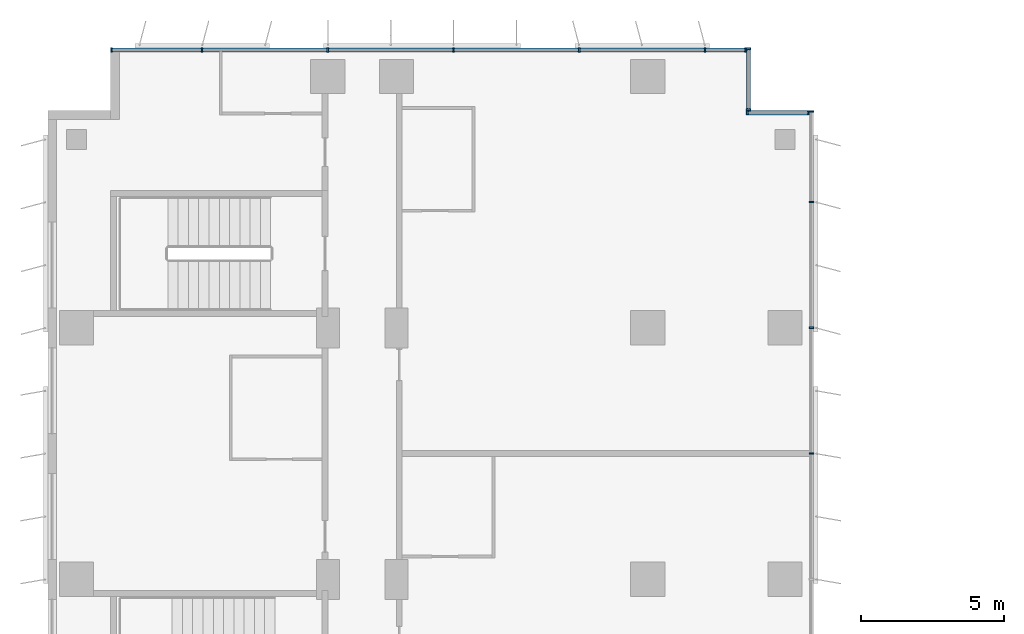
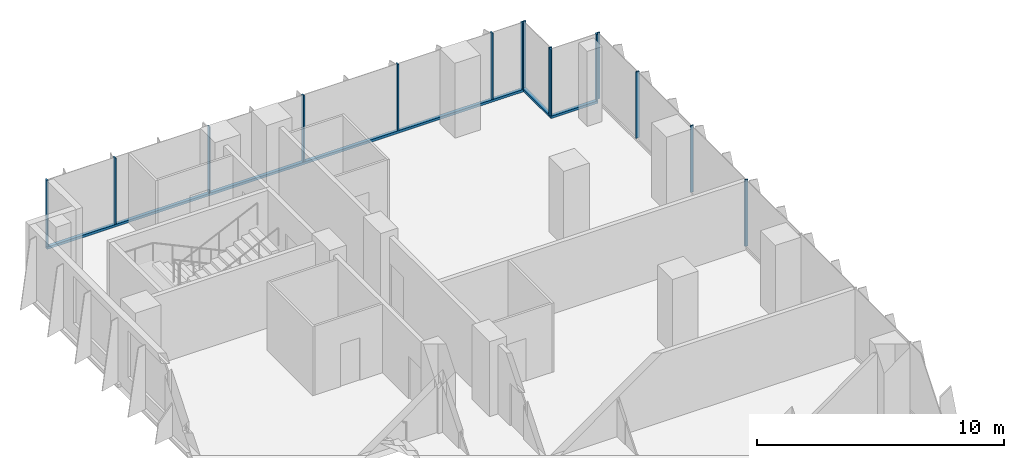
# One storey, part 9 of 22: 18 members, 4 elements without a shape of their own.
"""IFC4 building model written with IfcOpenShell, lengths in metres."""

from ifc_helpers import new_model, si_unit, direction, frame, origin, origin_2d, place, context, subcontext, project, spatial, rectangle, extrude, source, transform, mapped, material, material_profile, profile_set, type_object, element, aggregate, save


model = new_model("IFC4")

# Units and contexts
model_context = context("Model", 3, precision=1e-05, world=origin(), true_north=direction((0.0, 1.0)))
body_context = subcontext(model_context, "Body", "Model", "MODEL_VIEW")
ifc_project = project(units=[si_unit("LENGTHUNIT", "METRE"), si_unit("AREAUNIT", "SQUARE_METRE"), si_unit("VOLUMEUNIT", "CUBIC_METRE"), si_unit("PLANEANGLEUNIT", "RADIAN"), si_unit("MASSUNIT", "GRAM", prefix="KILO")], contexts=[model_context])

# Site, building, storey
site_placement = place(None, origin())
site = spatial("IfcSite", under=ifc_project, at=site_placement, CompositionType="ELEMENT")
building_placement = place(site_placement, origin())
building = spatial("IfcBuilding", under=site, at=building_placement, Name="Kemantara Hotel Tower", CompositionType="ELEMENT")
storey_placement = place(building_placement, frame((0.0, 0.0, 122.199951171875)))
storey = spatial("IfcBuildingStorey", under=building, at=storey_placement, Name="L29", CompositionType="ELEMENT", Elevation=122.199951171875)

# Curtain wall, member
ifc_material_1 = material(Name="Low-E tinted double insulated glass 36 mm", Category="glass")
curtain_wall_type = type_object("IfcCurtainWallType", Name="TOWER CURTAIN WALL, FRONT FACES", PredefinedType="USERDEFINED", material=ifc_material_1)
curtain_wall_1_placement = place(storey_placement, origin())
curtain_wall_1 = element("IfcCurtainWall", 1, at=curtain_wall_1_placement, inside=storey, type_object=curtain_wall_type, Name="CW4 L29 T2-R01-1", ObjectType="TOWER CURTAIN WALL, FRONT FACES", PredefinedType="USERDEFINED")
ifc_material_2 = material(Name="Aluminium 6063-T6 bronze anodised", Category="aluminium")
ifc_material_profile_1 = material_profile(ifc_material_2, rectangle(XDim=0.14990234375, YDim=0.1201171875, at=origin_2d()), Name="TOWER CURTAIN WALL, FRONT FACES TRANSOM")
ifc_profile_set_1 = profile_set([ifc_material_profile_1], Name="Aluminium 6063-T6 bronze anodised")
member_type_1 = type_object("IfcMemberType", Name="TOWER CURTAIN WALL, FRONT FACES TRANSOM", PredefinedType="USERDEFINED", material=ifc_profile_set_1)
member_1_placement = place(storey_placement, frame((24.449951171875, 81.125, 0.06005859375), z_axis=(-1.0, 0.0, 0.0), x_axis=(0.0, -1.0, 0.0)))
member_1 = element("IfcMember", 2, at=member_1_placement, type_object=member_type_1, Name="CW4 sill transom T2-R01-1", ObjectType="TRANSOM", PredefinedType="USERDEFINED", context=body_context, shape_type="SweptSolid", body=[
    extrude(rectangle(XDim=0.14990234375, YDim=0.1201171875, at=origin_2d()), origin(), (0.0, 0.0, 1.0), 22.25),
])

curtain_wall_2_placement = place(storey_placement, origin())
curtain_wall_2 = element("IfcCurtainWall", 3, at=curtain_wall_2_placement, inside=storey, type_object=curtain_wall_type, Name="CW4 L29 T2-R00-1", ObjectType="TOWER CURTAIN WALL, FRONT FACES", PredefinedType="USERDEFINED")
member_2_placement = place(storey_placement, frame((24.52490234375, 79.0, 0.06005859375), z_axis=(0.0, 1.0, 0.0), x_axis=(-1.0, 0.0, 0.0)))
member_2 = element("IfcMember", 4, at=member_2_placement, type_object=member_type_1, Name="CW4 sill transom T2-R00-1", ObjectType="TRANSOM", PredefinedType="USERDEFINED", context=body_context, shape_type="SweptSolid", body=[
    extrude(rectangle(XDim=0.14990234375, YDim=0.1201171875, at=origin_2d()), origin(), (0.0, 0.0, 1.0), 2.199951171875),
])

curtain_wall_3_placement = place(storey_placement, origin())
curtain_wall_3 = element("IfcCurtainWall", 5, at=curtain_wall_3_placement, inside=storey, type_object=curtain_wall_type, Name="CW4 L29 T2-R15-1", ObjectType="TOWER CURTAIN WALL, FRONT FACES", PredefinedType="USERDEFINED")
member_3_placement = place(storey_placement, frame((26.64990234375, 78.925048828125, 0.06005859375), z_axis=(-1.0, 0.0, 0.0), x_axis=(0.0, -1.0, 0.0)))
member_3 = element("IfcMember", 6, at=member_3_placement, type_object=member_type_1, Name="CW4 sill transom T2-R15-1", ObjectType="TRANSOM", PredefinedType="USERDEFINED", context=body_context, shape_type="SweptSolid", body=[
    extrude(rectangle(XDim=0.14990234375, YDim=0.1201171875, at=origin_2d()), origin(), (0.0, 0.0, 1.0), 2.199951171875),
])

# Member
ifc_material_profile_2 = material_profile(ifc_material_2, rectangle(XDim=0.14990234375, YDim=0.06005859375, at=origin_2d()), Name="TOWER CURTAIN WALL, FRONT FACES MULLION")
ifc_profile_set_2 = profile_set([ifc_material_profile_2], Name="Aluminium 6063-T6 bronze anodised")
member_type_2 = type_object("IfcMemberType", Name="TOWER CURTAIN WALL, FRONT FACES MULLION", PredefinedType="MULLION", material=ifc_profile_set_2)
shared_shape = source(origin(), body_context, "Body", "SweptSolid", [
    extrude(rectangle(XDim=0.14990234375, YDim=0.06005859375, at=origin_2d()), origin(), (0.0, 0.0, 1.0), 3.280029296875),
])
member_4_placement = place(storey_placement, frame((24.419921875, 81.125, 0.1201171875), z_axis=(0.0, 0.0, 1.0), x_axis=(0.0, -1.0, 0.0)))
member_4 = element("IfcMember", 7, at=member_4_placement, type_object=member_type_2, Name="CW4 mullion T2-R01-1.1", PredefinedType="MULLION", context=body_context, shape_type="MappedRepresentation", body=[
    mapped(shared_shape, transform((0.0, 0.0, 0.0))),
])

member_5_placement = place(storey_placement, frame((23.0, 81.125, 0.1201171875), z_axis=(0.0, 0.0, 1.0), x_axis=(0.0, -1.0, 0.0)))
member_5 = element("IfcMember", 8, at=member_5_placement, type_object=member_type_2, Name="CW4 mullion T2-R01-1.2", PredefinedType="MULLION", context=body_context, shape_type="MappedRepresentation", body=[
    mapped(shared_shape, transform((0.0, 0.0, 0.0))),
])

member_6_placement = place(storey_placement, frame((18.60009765625, 81.125, 0.1201171875), z_axis=(0.0, 0.0, 1.0), x_axis=(0.0, -1.0, 0.0)))
member_6 = element("IfcMember", 9, at=member_6_placement, type_object=member_type_2, Name="CW4 mullion T2-R01-1.3", PredefinedType="MULLION", context=body_context, shape_type="MappedRepresentation", body=[
    mapped(shared_shape, transform((0.0, 0.0, 0.0))),
])

member_7_placement = place(storey_placement, frame((14.199951171875, 81.125, 0.1201171875), z_axis=(0.0, 0.0, 1.0), x_axis=(0.0, -1.0, 0.0)))
member_7 = element("IfcMember", 10, at=member_7_placement, type_object=member_type_2, Name="CW4 mullion T2-R01-1.4", PredefinedType="MULLION", context=body_context, shape_type="MappedRepresentation", body=[
    mapped(shared_shape, transform((0.0, 0.0, 0.0))),
])

member_8_placement = place(storey_placement, frame((9.800048828125, 81.125, 0.1201171875), z_axis=(0.0, 0.0, 1.0), x_axis=(0.0, -1.0, 0.0)))
member_8 = element("IfcMember", 11, at=member_8_placement, type_object=member_type_2, Name="CW4 mullion T2-R01-1.5", PredefinedType="MULLION", context=body_context, shape_type="MappedRepresentation", body=[
    mapped(shared_shape, transform((0.0, 0.0, 0.0))),
])

member_9_placement = place(storey_placement, frame((5.39990234375, 81.125, 0.1201171875), z_axis=(0.0, 0.0, 1.0), x_axis=(0.0, -1.0, 0.0)))
member_9 = element("IfcMember", 12, at=member_9_placement, type_object=member_type_2, Name="CW4 mullion T2-R01-1.6", PredefinedType="MULLION", context=body_context, shape_type="MappedRepresentation", body=[
    mapped(shared_shape, transform((0.0, 0.0, 0.0))),
])

member_10_placement = place(storey_placement, frame((2.22998046875, 81.125, 0.1201171875), z_axis=(0.0, 0.0, 1.0), x_axis=(0.0, -1.0, 0.0)))
member_10 = element("IfcMember", 13, at=member_10_placement, type_object=member_type_2, Name="CW4 mullion T2-R01-1.7", PredefinedType="MULLION", context=body_context, shape_type="MappedRepresentation", body=[
    mapped(shared_shape, transform((0.0, 0.0, 0.0))),
])

aggregate(curtain_wall_1, [member_1, member_4, member_5, member_6, member_7, member_8, member_9, member_10])

# Curtain wall, members
curtain_wall_4_placement = place(storey_placement, origin())
curtain_wall_4 = element("IfcCurtainWall", 14, at=curtain_wall_4_placement, inside=storey, type_object=curtain_wall_type, Name="CW4 L29 T2-R14-1", ObjectType="TOWER CURTAIN WALL, FRONT FACES", PredefinedType="USERDEFINED")
member_11_placement = place(storey_placement, frame((26.72509765625, 67.0, 0.1201171875), z_axis=(0.0, 0.0, 1.0), x_axis=(-1.0, 0.0, 0.0)))
member_11 = element("IfcMember", 15, at=member_11_placement, type_object=member_type_2, Name="CW4 mullion T2-R14-1.12", PredefinedType="MULLION", context=body_context, shape_type="MappedRepresentation", body=[
    mapped(shared_shape, transform((0.0, 0.0, 0.0))),
])
member_12_placement = place(storey_placement, frame((26.72509765625, 71.39990234375, 0.1201171875), z_axis=(0.0, 0.0, 1.0), x_axis=(-1.0, 0.0, 0.0)))
member_12 = element("IfcMember", 16, at=member_12_placement, type_object=member_type_2, Name="CW4 mullion T2-R14-1.13", PredefinedType="MULLION", context=body_context, shape_type="MappedRepresentation", body=[
    mapped(shared_shape, transform((0.0, 0.0, 0.0))),
])
member_13_placement = place(storey_placement, frame((26.72509765625, 75.800048828125, 0.1201171875), z_axis=(0.0, 0.0, 1.0), x_axis=(-1.0, 0.0, 0.0)))
member_13 = element("IfcMember", 17, at=member_13_placement, type_object=member_type_2, Name="CW4 mullion T2-R14-1.14", PredefinedType="MULLION", context=body_context, shape_type="MappedRepresentation", body=[
    mapped(shared_shape, transform((0.0, 0.0, 0.0))),
])
member_14_placement = place(storey_placement, frame((26.72509765625, 78.969970703125, 0.1201171875), z_axis=(0.0, 0.0, 1.0), x_axis=(-1.0, 0.0, 0.0)))
member_14 = element("IfcMember", 18, at=member_14_placement, type_object=member_type_2, Name="CW4 mullion T2-R14-1.15", PredefinedType="MULLION", context=body_context, shape_type="MappedRepresentation", body=[
    mapped(shared_shape, transform((0.0, 0.0, 0.0))),
])
aggregate(curtain_wall_4, [member_11, member_12, member_13, member_14])

# Member
member_15_placement = place(storey_placement, frame((24.52490234375, 79.030029296875, 0.1201171875), z_axis=(0.0, 0.0, 1.0), x_axis=(-1.0, 0.0, 0.0)))
member_15 = element("IfcMember", 19, at=member_15_placement, type_object=member_type_2, Name="CW4 mullion T2-R00-1.1", PredefinedType="MULLION", context=body_context, shape_type="MappedRepresentation", body=[
    mapped(shared_shape, transform((0.0, 0.0, 0.0))),
])

member_16_placement = place(storey_placement, frame((24.52490234375, 81.169921875, 0.1201171875), z_axis=(0.0, 0.0, 1.0), x_axis=(-1.0, 0.0, 0.0)))
member_16 = element("IfcMember", 20, at=member_16_placement, type_object=member_type_2, Name="CW4 mullion T2-R00-1.2", PredefinedType="MULLION", context=body_context, shape_type="MappedRepresentation", body=[
    mapped(shared_shape, transform((0.0, 0.0, 0.0))),
])

aggregate(curtain_wall_2, [member_2, member_15, member_16])

member_17_placement = place(storey_placement, frame((26.6201171875, 78.925048828125, 0.1201171875), z_axis=(0.0, 0.0, 1.0), x_axis=(0.0, -1.0, 0.0)))
member_17 = element("IfcMember", 21, at=member_17_placement, type_object=member_type_2, Name="CW4 mullion T2-R15-1.1", PredefinedType="MULLION", context=body_context, shape_type="MappedRepresentation", body=[
    mapped(shared_shape, transform((0.0, 0.0, 0.0))),
])

member_18_placement = place(storey_placement, frame((24.47998046875, 78.925048828125, 0.1201171875), z_axis=(0.0, 0.0, 1.0), x_axis=(0.0, -1.0, 0.0)))
member_18 = element("IfcMember", 22, at=member_18_placement, type_object=member_type_2, Name="CW4 mullion T2-R15-1.2", PredefinedType="MULLION", context=body_context, shape_type="MappedRepresentation", body=[
    mapped(shared_shape, transform((0.0, 0.0, 0.0))),
])

aggregate(curtain_wall_3, [member_3, member_17, member_18])

save(model, "model.ifc")
